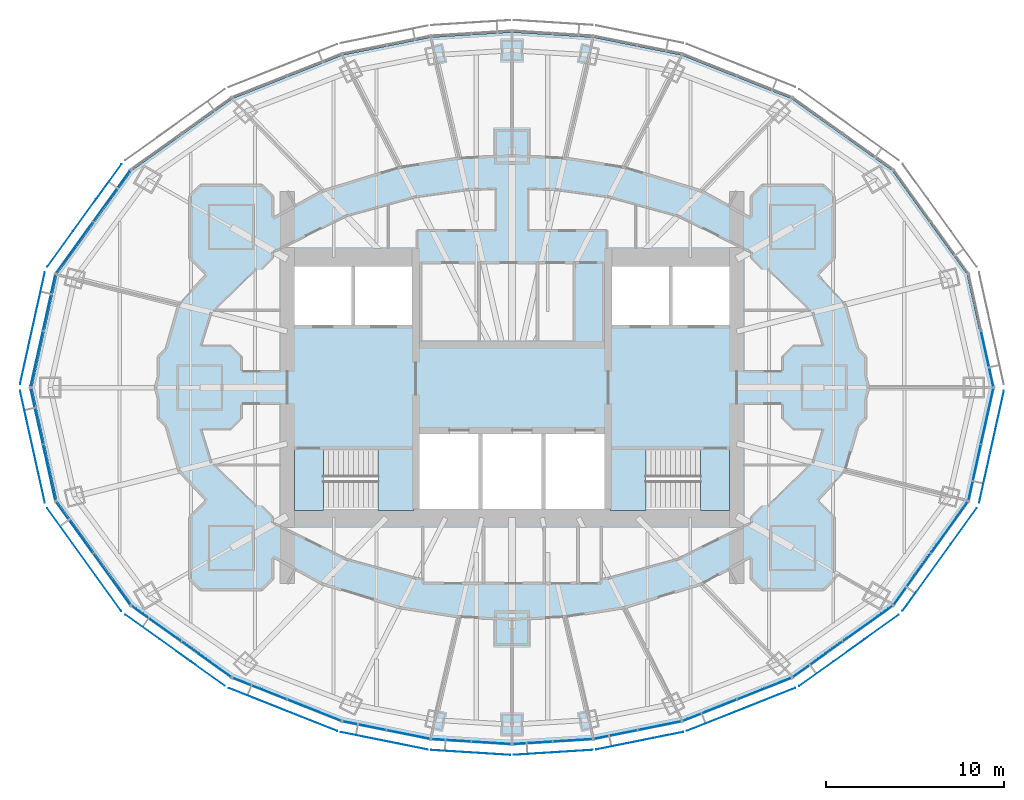
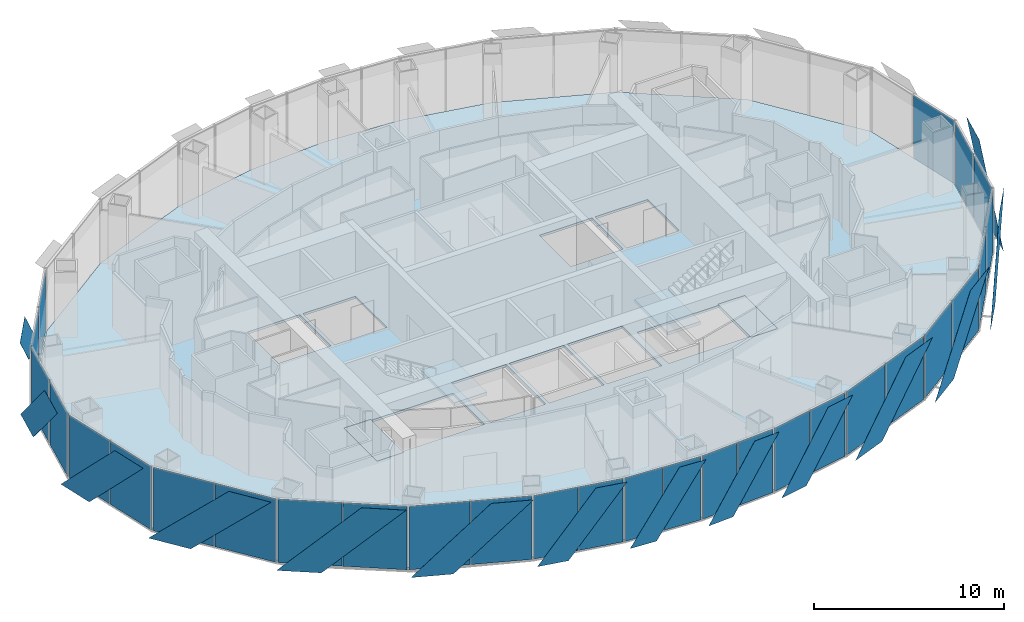
# One storey, part 10 of 19: 43 plates, 5 slabs, 17 elements without a shape of their own.
"""IFC4 building model written with IfcOpenShell, lengths in metres."""

from ifc_helpers import new_model, si_unit, direction, frame, origin, origin_2d, place, context, subcontext, project, spatial, polyline, rectangle, outline, extrude, material, layer, layer_set, type_object, element, aggregate, save


model = new_model("IFC4")

# Units and contexts
model_context = context("Model", 3, precision=1e-05, world=origin(), true_north=direction((0.0, 1.0)))
body_context = subcontext(model_context, "Body", "Model", "MODEL_VIEW")
ifc_project = project(units=[si_unit("LENGTHUNIT", "METRE"), si_unit("AREAUNIT", "SQUARE_METRE"), si_unit("VOLUMEUNIT", "CUBIC_METRE"), si_unit("PLANEANGLEUNIT", "RADIAN"), si_unit("MASSUNIT", "GRAM", prefix="KILO")], contexts=[model_context])

# Site, building, storey
site_placement = place(None, origin())
site = spatial("IfcSite", under=ifc_project, at=site_placement, CompositionType="ELEMENT")
building_placement = place(site_placement, origin())
building = spatial("IfcBuilding", under=site, at=building_placement, Name="Lantaw Convention Tower", CompositionType="ELEMENT")
storey_placement = place(building_placement, frame((0.0, 0.0, 249.39990234375)))
storey = spatial("IfcBuildingStorey", under=building, at=storey_placement, Name="L58", CompositionType="ELEMENT", Elevation=249.39990234375)

# Curtain wall, plate
ifc_material_1 = material(Name="Aluminium framed curtain wall", Category="aluminium")
curtain_wall_type = type_object("IfcCurtainWallType", Name="Office curtain wall high rise, pale aluminium", PredefinedType="USERDEFINED", material=ifc_material_1)
curtain_wall_1_placement = place(storey_placement, origin())
curtain_wall_1 = element("IfcCurtainWall", 1, at=curtain_wall_1_placement, inside=storey, type_object=curtain_wall_type, Name="Office curtain wall high rise, pale aluminium L58", ObjectType="UNITISED CURTAIN WALL", PredefinedType="USERDEFINED")
ifc_material_2 = material(Name="Clear insulating glass", Category="glass")
ifc_layer_1 = layer(ifc_material_2, 0.028076171875)
ifc_layer_set_1 = layer_set([ifc_layer_1], Name="CW-O2 panel 28")
plate_type_1 = type_object("IfcPlateType", Name="CW-O2 panel 28", PredefinedType="CURTAIN_PANEL", material=ifc_layer_set_1)
plate_1_placement = place(storey_placement, frame((26.643798828125, 1.61083984375, -0.0849609375), z_axis=(0.0, 0.0, 1.0), x_axis=(-0.215891333626, 0.976417396437, 0.0)))
plate_1 = element("IfcPlate", 2, at=plate_1_placement, type_object=plate_type_1, Name="CW-O2 panel 1.1", PredefinedType="CURTAIN_PANEL", context=body_context, shape_type="SweptSolid", body=[
    extrude(rectangle(XDim=3.169677734375, YDim=0.028076171875, at=origin_2d()), origin(), (0.0, 0.0, 1.0), 4.070068359375),
])
aggregate(curtain_wall_1, [plate_1])

# Curtain wall, plates
curtain_wall_2_placement = place(storey_placement, origin())
curtain_wall_2 = element("IfcCurtainWall", 3, at=curtain_wall_2_placement, inside=storey, type_object=curtain_wall_type, Name="Office curtain wall high rise, pale aluminium L58", ObjectType="UNITISED CURTAIN WALL", PredefinedType="USERDEFINED")
plate_2_placement = place(storey_placement, frame((-22.4404296875, 10.743896484375, -0.0849609375), z_axis=(0.0, 0.0, 1.0), x_axis=(-0.585157643865, -0.810919559405, 0.0)))
plate_2 = element("IfcPlate", 4, at=plate_2_placement, type_object=plate_type_1, Name="CW-O2 panel 1.1", PredefinedType="CURTAIN_PANEL", context=body_context, shape_type="SweptSolid", body=[
    extrude(rectangle(XDim=3.500732421875, YDim=0.028076171875, at=origin_2d()), origin(), (0.0, 0.0, 1.0), 4.070068359375),
])
plate_3_placement = place(storey_placement, frame((-24.527099609375, 7.852294921875, -0.0849609375), z_axis=(0.0, 0.0, 1.0), x_axis=(-0.585157643865, -0.810919559405, 0.0)))
plate_3 = element("IfcPlate", 5, at=plate_3_placement, type_object=plate_type_1, Name="CW-O2 panel 2.1", PredefinedType="CURTAIN_PANEL", context=body_context, shape_type="SweptSolid", body=[
    extrude(rectangle(XDim=3.500732421875, YDim=0.028076171875, at=origin_2d()), origin(), (0.0, 0.0, 1.0), 4.070068359375),
])
aggregate(curtain_wall_2, [plate_2, plate_3])

curtain_wall_3_placement = place(storey_placement, origin())
curtain_wall_3 = element("IfcCurtainWall", 6, at=curtain_wall_3_placement, inside=storey, type_object=curtain_wall_type, Name="Office curtain wall high rise, pale aluminium L58", ObjectType="UNITISED CURTAIN WALL", PredefinedType="USERDEFINED")
plate_4_placement = place(storey_placement, frame((-25.945556640625, 4.769287109375, -0.0849609375), z_axis=(0.0, 0.0, 1.0), x_axis=(-0.215891333626, -0.976417396437, 0.0)))
plate_4 = element("IfcPlate", 7, at=plate_4_placement, type_object=plate_type_1, Name="CW-O2 panel 1.1", PredefinedType="CURTAIN_PANEL", context=body_context, shape_type="SweptSolid", body=[
    extrude(rectangle(XDim=3.169677734375, YDim=0.028076171875, at=origin_2d()), origin(), (0.0, 0.0, 1.0), 4.070068359375),
])
plate_5_placement = place(storey_placement, frame((-26.643798828125, 1.61083984375, -0.0849609375), z_axis=(0.0, 0.0, 1.0), x_axis=(-0.215891333626, -0.976417396437, 0.0)))
plate_5 = element("IfcPlate", 8, at=plate_5_placement, type_object=plate_type_1, Name="CW-O2 panel 2.1", PredefinedType="CURTAIN_PANEL", context=body_context, shape_type="SweptSolid", body=[
    extrude(rectangle(XDim=3.169677734375, YDim=0.028076171875, at=origin_2d()), origin(), (0.0, 0.0, 1.0), 4.070068359375),
])
aggregate(curtain_wall_3, [plate_4, plate_5])

curtain_wall_4_placement = place(storey_placement, origin())
curtain_wall_4 = element("IfcCurtainWall", 9, at=curtain_wall_4_placement, inside=storey, type_object=curtain_wall_type, Name="Office curtain wall high rise, pale aluminium L58", ObjectType="UNITISED CURTAIN WALL", PredefinedType="USERDEFINED")
plate_6_placement = place(storey_placement, frame((-26.643798828125, -1.61083984375, -0.0849609375), z_axis=(0.0, 0.0, 1.0), x_axis=(0.215891333626, -0.976417396437, 0.0)))
plate_6 = element("IfcPlate", 10, at=plate_6_placement, type_object=plate_type_1, Name="CW-O2 panel 1.1", PredefinedType="CURTAIN_PANEL", context=body_context, shape_type="SweptSolid", body=[
    extrude(rectangle(XDim=3.169677734375, YDim=0.028076171875, at=origin_2d()), origin(), (0.0, 0.0, 1.0), 4.070068359375),
])
plate_7_placement = place(storey_placement, frame((-25.945556640625, -4.769287109375, -0.0849609375), z_axis=(0.0, 0.0, 1.0), x_axis=(0.215891333626, -0.976417396437, 0.0)))
plate_7 = element("IfcPlate", 11, at=plate_7_placement, type_object=plate_type_1, Name="CW-O2 panel 2.1", PredefinedType="CURTAIN_PANEL", context=body_context, shape_type="SweptSolid", body=[
    extrude(rectangle(XDim=3.169677734375, YDim=0.028076171875, at=origin_2d()), origin(), (0.0, 0.0, 1.0), 4.070068359375),
])
aggregate(curtain_wall_4, [plate_6, plate_7])

curtain_wall_5_placement = place(storey_placement, origin())
curtain_wall_5 = element("IfcCurtainWall", 12, at=curtain_wall_5_placement, inside=storey, type_object=curtain_wall_type, Name="Office curtain wall high rise, pale aluminium L58", ObjectType="UNITISED CURTAIN WALL", PredefinedType="USERDEFINED")
plate_8_placement = place(storey_placement, frame((-24.527099609375, -7.852294921875, -0.0849609375), z_axis=(0.0, 0.0, 1.0), x_axis=(0.585157643865, -0.810919559405, 0.0)))
plate_8 = element("IfcPlate", 13, at=plate_8_placement, type_object=plate_type_1, Name="CW-O2 panel 1.1", PredefinedType="CURTAIN_PANEL", context=body_context, shape_type="SweptSolid", body=[
    extrude(rectangle(XDim=3.500732421875, YDim=0.028076171875, at=origin_2d()), origin(), (0.0, 0.0, 1.0), 4.070068359375),
])
plate_9_placement = place(storey_placement, frame((-22.4404296875, -10.743896484375, -0.0849609375), z_axis=(0.0, 0.0, 1.0), x_axis=(0.585157643865, -0.810919559405, 0.0)))
plate_9 = element("IfcPlate", 14, at=plate_9_placement, type_object=plate_type_1, Name="CW-O2 panel 2.1", PredefinedType="CURTAIN_PANEL", context=body_context, shape_type="SweptSolid", body=[
    extrude(rectangle(XDim=3.500732421875, YDim=0.028076171875, at=origin_2d()), origin(), (0.0, 0.0, 1.0), 4.070068359375),
])
aggregate(curtain_wall_5, [plate_8, plate_9])

curtain_wall_6_placement = place(storey_placement, origin())
curtain_wall_6 = element("IfcCurtainWall", 15, at=curtain_wall_6_placement, inside=storey, type_object=curtain_wall_type, Name="Office curtain wall high rise, pale aluminium L58", ObjectType="UNITISED CURTAIN WALL", PredefinedType="USERDEFINED")
plate_10_placement = place(storey_placement, frame((-19.947509765625, -13.23828125, -0.0849609375), z_axis=(0.0, 0.0, 1.0), x_axis=(0.813672540482, -0.581323487281, 0.0)))
plate_10 = element("IfcPlate", 16, at=plate_10_placement, type_object=plate_type_1, Name="CW-O2 panel 1.1", PredefinedType="CURTAIN_PANEL", context=body_context, shape_type="SweptSolid", body=[
    extrude(rectangle(XDim=3.386474609375, YDim=0.028076171875, at=origin_2d()), origin(), (0.0, 0.0, 1.0), 4.070068359375),
])
plate_11_placement = place(storey_placement, frame((-17.13916015625, -15.24462890625, -0.0849609375), z_axis=(0.0, 0.0, 1.0), x_axis=(0.813672540482, -0.581323487281, 0.0)))
plate_11 = element("IfcPlate", 17, at=plate_11_placement, type_object=plate_type_1, Name="CW-O2 panel 2.1", PredefinedType="CURTAIN_PANEL", context=body_context, shape_type="SweptSolid", body=[
    extrude(rectangle(XDim=3.386474609375, YDim=0.028076171875, at=origin_2d()), origin(), (0.0, 0.0, 1.0), 4.070068359375),
])
aggregate(curtain_wall_6, [plate_10, plate_11])

curtain_wall_7_placement = place(storey_placement, origin())
curtain_wall_7 = element("IfcCurtainWall", 18, at=curtain_wall_7_placement, inside=storey, type_object=curtain_wall_type, Name="Office curtain wall high rise, pale aluminium L58", ObjectType="UNITISED CURTAIN WALL", PredefinedType="USERDEFINED")
plate_12_placement = place(storey_placement, frame((-14.14990234375, -16.8837890625, -0.0849609375), z_axis=(0.0, 0.0, 1.0), x_axis=(0.929761533743, -0.368162315252, 0.0)))
plate_12 = element("IfcPlate", 19, at=plate_12_placement, type_object=plate_type_1, Name="CW-O2 panel 1.1", PredefinedType="CURTAIN_PANEL", context=body_context, shape_type="SweptSolid", body=[
    extrude(rectangle(XDim=3.222900390625, YDim=0.028076171875, at=origin_2d()), origin(), (0.0, 0.0, 1.0), 4.070068359375),
])
plate_13_placement = place(storey_placement, frame((-11.0927734375, -18.094482421875, -0.0849609375), z_axis=(0.0, 0.0, 1.0), x_axis=(0.929761533743, -0.368162315252, 0.0)))
plate_13 = element("IfcPlate", 20, at=plate_13_placement, type_object=plate_type_1, Name="CW-O2 panel 2.1", PredefinedType="CURTAIN_PANEL", context=body_context, shape_type="SweptSolid", body=[
    extrude(rectangle(XDim=3.222900390625, YDim=0.028076171875, at=origin_2d()), origin(), (0.0, 0.0, 1.0), 4.070068359375),
])
aggregate(curtain_wall_7, [plate_12, plate_13])

curtain_wall_8_placement = place(storey_placement, origin())
curtain_wall_8 = element("IfcCurtainWall", 21, at=curtain_wall_8_placement, inside=storey, type_object=curtain_wall_type, Name="Office curtain wall high rise, pale aluminium L58", ObjectType="UNITISED CURTAIN WALL", PredefinedType="USERDEFINED")
plate_14_placement = place(storey_placement, frame((-8.2724609375, -18.96533203125, -0.0849609375), z_axis=(0.0, 0.0, 1.0), x_axis=(0.980366679695, -0.197183095987, 0.0)))
plate_14 = element("IfcPlate", 22, at=plate_14_placement, type_object=plate_type_1, Name="CW-O2 panel 1.1", PredefinedType="CURTAIN_PANEL", context=body_context, shape_type="SweptSolid", body=[
    extrude(rectangle(XDim=2.44384765625, YDim=0.028076171875, at=origin_2d()), origin(), (0.0, 0.0, 1.0), 4.070068359375),
])
plate_15_placement = place(storey_placement, frame((-5.81298828125, -19.4599609375, -0.0849609375), z_axis=(0.0, 0.0, 1.0), x_axis=(0.980366679695, -0.197183095987, 0.0)))
plate_15 = element("IfcPlate", 23, at=plate_15_placement, type_object=plate_type_1, Name="CW-O2 panel 2.1", PredefinedType="CURTAIN_PANEL", context=body_context, shape_type="SweptSolid", body=[
    extrude(rectangle(XDim=2.44384765625, YDim=0.028076171875, at=origin_2d()), origin(), (0.0, 0.0, 1.0), 4.070068359375),
])
aggregate(curtain_wall_8, [plate_14, plate_15])

curtain_wall_9_placement = place(storey_placement, origin())
curtain_wall_9 = element("IfcCurtainWall", 24, at=curtain_wall_9_placement, inside=storey, type_object=curtain_wall_type, Name="Office curtain wall high rise, pale aluminium L58", ObjectType="UNITISED CURTAIN WALL", PredefinedType="USERDEFINED")
plate_16_placement = place(storey_placement, frame((-3.397216796875, -19.786376953125, -0.0849609375), z_axis=(0.0, 0.0, 1.0), x_axis=(0.998028774865, -0.062757983884, 0.0)))
plate_16 = element("IfcPlate", 25, at=plate_16_placement, type_object=plate_type_1, Name="CW-O2 panel 1.1", PredefinedType="CURTAIN_PANEL", context=body_context, shape_type="SweptSolid", body=[
    extrude(rectangle(XDim=2.1826171875, YDim=0.028076171875, at=origin_2d()), origin(), (0.0, 0.0, 1.0), 4.070068359375),
])
plate_17_placement = place(storey_placement, frame((-1.154052734375, -19.927490234375, -0.0849609375), z_axis=(0.0, 0.0, 1.0), x_axis=(0.998028774865, -0.062757983884, 0.0)))
plate_17 = element("IfcPlate", 26, at=plate_17_placement, type_object=plate_type_1, Name="CW-O2 panel 2.1", PredefinedType="CURTAIN_PANEL", context=body_context, shape_type="SweptSolid", body=[
    extrude(rectangle(XDim=2.1826171875, YDim=0.028076171875, at=origin_2d()), origin(), (0.0, 0.0, 1.0), 4.070068359375),
])
aggregate(curtain_wall_9, [plate_16, plate_17])

curtain_wall_10_placement = place(storey_placement, origin())
curtain_wall_10 = element("IfcCurtainWall", 27, at=curtain_wall_10_placement, inside=storey, type_object=curtain_wall_type, Name="Office curtain wall high rise, pale aluminium L58", ObjectType="UNITISED CURTAIN WALL", PredefinedType="USERDEFINED")
plate_18_placement = place(storey_placement, frame((1.154052734375, -19.927490234375, -0.0849609375), z_axis=(0.0, 0.0, 1.0), x_axis=(0.998028774865, 0.062757983884, 0.0)))
plate_18 = element("IfcPlate", 28, at=plate_18_placement, type_object=plate_type_1, Name="CW-O2 panel 1.1", PredefinedType="CURTAIN_PANEL", context=body_context, shape_type="SweptSolid", body=[
    extrude(rectangle(XDim=2.1826171875, YDim=0.028076171875, at=origin_2d()), origin(), (0.0, 0.0, 1.0), 4.070068359375),
])
plate_19_placement = place(storey_placement, frame((3.397216796875, -19.786376953125, -0.0849609375), z_axis=(0.0, 0.0, 1.0), x_axis=(0.998028774865, 0.062757983884, 0.0)))
plate_19 = element("IfcPlate", 29, at=plate_19_placement, type_object=plate_type_1, Name="CW-O2 panel 2.1", PredefinedType="CURTAIN_PANEL", context=body_context, shape_type="SweptSolid", body=[
    extrude(rectangle(XDim=2.1826171875, YDim=0.028076171875, at=origin_2d()), origin(), (0.0, 0.0, 1.0), 4.070068359375),
])
aggregate(curtain_wall_10, [plate_18, plate_19])

curtain_wall_11_placement = place(storey_placement, origin())
curtain_wall_11 = element("IfcCurtainWall", 30, at=curtain_wall_11_placement, inside=storey, type_object=curtain_wall_type, Name="Office curtain wall high rise, pale aluminium L58", ObjectType="UNITISED CURTAIN WALL", PredefinedType="USERDEFINED")
plate_20_placement = place(storey_placement, frame((5.81298828125, -19.4599609375, -0.0849609375), z_axis=(0.0, 0.0, 1.0), x_axis=(0.980366679695, 0.197183095987, 0.0)))
plate_20 = element("IfcPlate", 31, at=plate_20_placement, type_object=plate_type_1, Name="CW-O2 panel 1.1", PredefinedType="CURTAIN_PANEL", context=body_context, shape_type="SweptSolid", body=[
    extrude(rectangle(XDim=2.44384765625, YDim=0.028076171875, at=origin_2d()), origin(), (0.0, 0.0, 1.0), 4.070068359375),
])
plate_21_placement = place(storey_placement, frame((8.2724609375, -18.96533203125, -0.0849609375), z_axis=(0.0, 0.0, 1.0), x_axis=(0.980366679695, 0.197183095987, 0.0)))
plate_21 = element("IfcPlate", 32, at=plate_21_placement, type_object=plate_type_1, Name="CW-O2 panel 2.1", PredefinedType="CURTAIN_PANEL", context=body_context, shape_type="SweptSolid", body=[
    extrude(rectangle(XDim=2.44384765625, YDim=0.028076171875, at=origin_2d()), origin(), (0.0, 0.0, 1.0), 4.070068359375),
])
aggregate(curtain_wall_11, [plate_20, plate_21])

curtain_wall_12_placement = place(storey_placement, origin())
curtain_wall_12 = element("IfcCurtainWall", 33, at=curtain_wall_12_placement, inside=storey, type_object=curtain_wall_type, Name="Office curtain wall high rise, pale aluminium L58", ObjectType="UNITISED CURTAIN WALL", PredefinedType="USERDEFINED")
plate_22_placement = place(storey_placement, frame((11.0927734375, -18.094482421875, -0.0849609375), z_axis=(0.0, 0.0, 1.0), x_axis=(0.929761533743, 0.368162315252, 0.0)))
plate_22 = element("IfcPlate", 34, at=plate_22_placement, type_object=plate_type_1, Name="CW-O2 panel 1.1", PredefinedType="CURTAIN_PANEL", context=body_context, shape_type="SweptSolid", body=[
    extrude(rectangle(XDim=3.222900390625, YDim=0.028076171875, at=origin_2d()), origin(), (0.0, 0.0, 1.0), 4.070068359375),
])
plate_23_placement = place(storey_placement, frame((14.14990234375, -16.8837890625, -0.0849609375), z_axis=(0.0, 0.0, 1.0), x_axis=(0.929761533743, 0.368162315252, 0.0)))
plate_23 = element("IfcPlate", 35, at=plate_23_placement, type_object=plate_type_1, Name="CW-O2 panel 2.1", PredefinedType="CURTAIN_PANEL", context=body_context, shape_type="SweptSolid", body=[
    extrude(rectangle(XDim=3.222900390625, YDim=0.028076171875, at=origin_2d()), origin(), (0.0, 0.0, 1.0), 4.070068359375),
])
aggregate(curtain_wall_12, [plate_22, plate_23])

curtain_wall_13_placement = place(storey_placement, origin())
curtain_wall_13 = element("IfcCurtainWall", 36, at=curtain_wall_13_placement, inside=storey, type_object=curtain_wall_type, Name="Office curtain wall high rise, pale aluminium L58", ObjectType="UNITISED CURTAIN WALL", PredefinedType="USERDEFINED")
plate_24_placement = place(storey_placement, frame((17.13916015625, -15.24462890625, -0.0849609375), z_axis=(0.0, 0.0, 1.0), x_axis=(0.813672540482, 0.581323487281, 0.0)))
plate_24 = element("IfcPlate", 37, at=plate_24_placement, type_object=plate_type_1, Name="CW-O2 panel 1.1", PredefinedType="CURTAIN_PANEL", context=body_context, shape_type="SweptSolid", body=[
    extrude(rectangle(XDim=3.386474609375, YDim=0.028076171875, at=origin_2d()), origin(), (0.0, 0.0, 1.0), 4.070068359375),
])
plate_25_placement = place(storey_placement, frame((19.947509765625, -13.23828125, -0.0849609375), z_axis=(0.0, 0.0, 1.0), x_axis=(0.813672540482, 0.581323487281, 0.0)))
plate_25 = element("IfcPlate", 38, at=plate_25_placement, type_object=plate_type_1, Name="CW-O2 panel 2.1", PredefinedType="CURTAIN_PANEL", context=body_context, shape_type="SweptSolid", body=[
    extrude(rectangle(XDim=3.386474609375, YDim=0.028076171875, at=origin_2d()), origin(), (0.0, 0.0, 1.0), 4.070068359375),
])
aggregate(curtain_wall_13, [plate_24, plate_25])

curtain_wall_14_placement = place(storey_placement, origin())
curtain_wall_14 = element("IfcCurtainWall", 39, at=curtain_wall_14_placement, inside=storey, type_object=curtain_wall_type, Name="Office curtain wall high rise, pale aluminium L58", ObjectType="UNITISED CURTAIN WALL", PredefinedType="USERDEFINED")
plate_26_placement = place(storey_placement, frame((22.4404296875, -10.743896484375, -0.0849609375), z_axis=(0.0, 0.0, 1.0), x_axis=(0.585157643865, 0.810919559405, 0.0)))
plate_26 = element("IfcPlate", 40, at=plate_26_placement, type_object=plate_type_1, Name="CW-O2 panel 1.1", PredefinedType="CURTAIN_PANEL", context=body_context, shape_type="SweptSolid", body=[
    extrude(rectangle(XDim=3.500732421875, YDim=0.028076171875, at=origin_2d()), origin(), (0.0, 0.0, 1.0), 4.070068359375),
])
plate_27_placement = place(storey_placement, frame((24.527099609375, -7.852294921875, -0.0849609375), z_axis=(0.0, 0.0, 1.0), x_axis=(0.585157643865, 0.810919559405, 0.0)))
plate_27 = element("IfcPlate", 41, at=plate_27_placement, type_object=plate_type_1, Name="CW-O2 panel 2.1", PredefinedType="CURTAIN_PANEL", context=body_context, shape_type="SweptSolid", body=[
    extrude(rectangle(XDim=3.500732421875, YDim=0.028076171875, at=origin_2d()), origin(), (0.0, 0.0, 1.0), 4.070068359375),
])
aggregate(curtain_wall_14, [plate_26, plate_27])

curtain_wall_15_placement = place(storey_placement, origin())
curtain_wall_15 = element("IfcCurtainWall", 42, at=curtain_wall_15_placement, inside=storey, type_object=curtain_wall_type, Name="Office curtain wall high rise, pale aluminium L58", ObjectType="UNITISED CURTAIN WALL", PredefinedType="USERDEFINED")
plate_28_placement = place(storey_placement, frame((25.945556640625, -4.769287109375, -0.0849609375), z_axis=(0.0, 0.0, 1.0), x_axis=(0.215891333626, 0.976417396437, 0.0)))
plate_28 = element("IfcPlate", 43, at=plate_28_placement, type_object=plate_type_1, Name="CW-O2 panel 1.1", PredefinedType="CURTAIN_PANEL", context=body_context, shape_type="SweptSolid", body=[
    extrude(rectangle(XDim=3.169677734375, YDim=0.028076171875, at=origin_2d()), origin(), (0.0, 0.0, 1.0), 4.070068359375),
])
plate_29_placement = place(storey_placement, frame((26.643798828125, -1.61083984375, -0.0849609375), z_axis=(0.0, 0.0, 1.0), x_axis=(0.215891333626, 0.976417396437, 0.0)))
plate_29 = element("IfcPlate", 44, at=plate_29_placement, type_object=plate_type_1, Name="CW-O2 panel 2.1", PredefinedType="CURTAIN_PANEL", context=body_context, shape_type="SweptSolid", body=[
    extrude(rectangle(XDim=3.169677734375, YDim=0.028076171875, at=origin_2d()), origin(), (0.0, 0.0, 1.0), 4.070068359375),
])
aggregate(curtain_wall_15, [plate_28, plate_29])

# Slab
ifc_material_3 = material(Name="Concrete C35/45", Category="concrete")
ifc_layer_2 = layer(ifc_material_3, 0.14990234375)
ifc_layer_set_2 = layer_set([ifc_layer_2], Name="Floor slab 150")
slab_type_1 = type_object("IfcSlabType", Name="Floor slab 150", PredefinedType="FLOOR", material=ifc_layer_set_2)
slab_1_placement = place(storey_placement, frame((0.0, 0.0, -0.14990234375)))
element("IfcSlab", 45, at=slab_1_placement, inside=storey, type_object=slab_type_1, Name="L58 floor slab", PredefinedType="FLOOR", context=body_context, shape_type="SweptSolid", body=[
    extrude(outline(polyline([(25.51953125, -6.348876953125), (26.923095703125, 0.0), (25.51953125, 6.348876953125), (21.324462890625, 12.162109375), (15.67236328125, 16.2001953125), (9.5126953125, 18.639404296875), (4.54150390625, 19.63916015625), (0.0, 19.9248046875), (-4.54150390625, 19.63916015625), (-9.5126953125, 18.639404296875), (-15.67236328125, 16.2001953125), (-21.324462890625, 12.162109375), (-25.51953125, 6.348876953125), (-26.923095703125, 0.0), (-25.51953125, -6.348876953125), (-21.324462890625, -12.162109375), (-15.67236328125, -16.2001953125), (-9.5126953125, -18.639404296875), (-4.54150390625, -19.63916015625), (0.0, -19.9248046875), (4.54150390625, -19.63916015625), (9.5126953125, -18.639404296875), (15.67236328125, -16.2001953125), (21.324462890625, -12.162109375), (25.51953125, -6.348876953125)]), holes=[polyline([(-5.60009765625, -3.5), (-12.199951171875, -3.5), (-12.199951171875, -6.800048828125), (-5.60009765625, -6.800048828125), (-5.60009765625, -3.5)]), polyline([(12.199951171875, -3.5), (5.60009765625, -3.5), (5.60009765625, -6.800048828125), (12.199951171875, -6.800048828125), (12.199951171875, -3.5)]), polyline([(-1.86669921875, -2.60009765625), (-5.199951171875, -2.60009765625), (-5.199951171875, -6.800048828125), (-1.86669921875, -6.800048828125), (-1.86669921875, -2.60009765625)]), polyline([(1.666748046875, -2.60009765625), (-1.666748046875, -2.60009765625), (-1.666748046875, -6.800048828125), (1.666748046875, -6.800048828125), (1.666748046875, -2.60009765625)]), polyline([(5.199951171875, -2.60009765625), (1.86669921875, -2.60009765625), (1.86669921875, -6.800048828125), (5.199951171875, -6.800048828125), (5.199951171875, -2.60009765625)]), polyline([(-9.0, 6.800048828125), (-12.199951171875, 6.800048828125), (-12.199951171875, 3.5), (-9.0, 3.5), (-9.0, 6.800048828125)]), polyline([(-5.60009765625, 6.800048828125), (-8.800048828125, 6.800048828125), (-8.800048828125, 3.5), (-5.60009765625, 3.5), (-5.60009765625, 6.800048828125)]), polyline([(8.800048828125, 3.5), (8.800048828125, 6.800048828125), (5.60009765625, 6.800048828125), (5.60009765625, 3.5), (8.800048828125, 3.5)]), polyline([(12.199951171875, 3.5), (12.199951171875, 6.800048828125), (9.0, 6.800048828125), (9.0, 3.5), (12.199951171875, 3.5)])]), origin(), (0.0, 0.0, 1.0), 0.14990234375),
])

# Plates
ifc_material_4 = material(Name="Perforated aluminium sheet, pale silver finish", Category="aluminium")
ifc_layer_3 = layer(ifc_material_4, 0.006103515625)
ifc_layer_set_3 = layer_set([ifc_layer_3], Name="Perforated aluminium solar SCREEN panel")
plate_type_2 = type_object("IfcPlateType", Name="Perforated aluminium solar SCREEN panel", PredefinedType="SHEET", material=ifc_layer_set_3)
plate_30_placement = place(storey_placement, frame((-21.898681640625, 12.530029296875, -0.1748046875), z_axis=(-0.810892289695, 0.585195432394, 2.0459565e-05), x_axis=(-0.585195432516, -0.810892289865, 0.0)))
element("IfcPlate", 46, at=plate_30_placement, inside=storey, type_object=plate_type_2, Name="Solar SCREEN panel", PredefinedType="SHEET", context=body_context, shape_type="SweptSolid", body=[
    extrude(outline(polyline([(0.0, 0.0), (2.4468488406832853, 0.0), (7.096610466675719, 4.339843750908316), (4.649761625992434, 4.339843750908316), (0.0, 0.0)])), origin(), (0.0, 0.0, -1.0), 0.006103515625),
])
plate_31_placement = place(storey_placement, frame((-26.19189453125, 6.462158203125, -0.1748046875), z_axis=(0.976429511424, -0.215836529031, 4.4221925e-05), x_axis=(-0.215836529242, -0.976429512379, 0.0)))
element("IfcPlate", 47, at=plate_31_placement, inside=storey, type_object=plate_type_2, Name="Solar SCREEN panel", PredefinedType="SHEET", context=body_context, shape_type="SweptSolid", body=[
    extrude(outline(polyline([(0.0, 0.0), (2.2215525295212517, -3.3881317890172014e-21), (6.4341686174090675, -4.339843754243453), (4.212616087887817, -4.339843754243453), (0.0, 0.0)])), origin(), (0.0, 0.0, -1.0), 0.006103515625),
])
plate_32_placement = place(storey_placement, frame((-27.580810546875, -0.1796875, -0.1748046875), z_axis=(-0.976429511424, -0.215836529031, 4.4221925e-05), x_axis=(0.215836529242, -0.976429512379, 0.0)))
element("IfcPlate", 48, at=plate_32_placement, inside=storey, type_object=plate_type_2, Name="Solar SCREEN panel", PredefinedType="SHEET", context=body_context, shape_type="SweptSolid", body=[
    extrude(outline(polyline([(0.0, 0.0), (2.2215525295212517, 3.3881317890172014e-21), (6.4341686174090675, 4.339843754243453), (4.212616087887817, 4.339843754243453), (0.0, 0.0)])), origin(), (0.0, 0.0, -1.0), 0.006103515625),
])
plate_33_placement = place(storey_placement, frame((-26.051513671875, -6.775390625, -0.1748046875), z_axis=(0.810892289695, 0.585195432394, 2.0459565e-05), x_axis=(0.585195432516, -0.810892289865, 0.0)))
element("IfcPlate", 49, at=plate_33_placement, inside=storey, type_object=plate_type_2, Name="Solar SCREEN panel", PredefinedType="SHEET", context=body_context, shape_type="SweptSolid", body=[
    extrude(outline(polyline([(0.0, 0.0), (2.4468488406832853, 0.0), (7.096610466675719, -4.339843750908316), (4.649761625992434, -4.339843750908316), (0.0, 0.0)])), origin(), (0.0, 0.0, -1.0), 0.006103515625),
])
plate_34_placement = place(storey_placement, frame((-21.689697265625, -12.73828125, -0.1748046875), z_axis=(-0.581330799771, -0.813667316006, 1.0072981e-05), x_axis=(0.813667316047, -0.5813307998, 3.02e-10)))
element("IfcPlate", 50, at=plate_34_placement, inside=storey, type_object=plate_type_2, Name="Solar SCREEN panel", PredefinedType="SHEET", context=body_context, shape_type="SweptSolid", body=[
    extrude(outline(polyline([(0.0, 0.0), (2.36914164286685, -1.6940658945086007e-21), (6.867806096558412, 4.339843748148034), (4.498863102938643, 4.3398437495775966), (0.0, 0.0)])), origin(), (0.0, 0.0, -1.0), 0.006103515625),
])
plate_35_placement = place(storey_placement, frame((-15.88525390625, -16.8486328125, -0.1748046875), z_axis=(0.368116612072, 0.929779629081, 3.5535267e-05), x_axis=(0.929779629668, -0.368116612304, -1.786e-09)))
element("IfcPlate", 51, at=plate_35_placement, inside=storey, type_object=plate_type_2, Name="Solar SCREEN panel", PredefinedType="SHEET", context=body_context, shape_type="SweptSolid", body=[
    extrude(outline(polyline([(0.0, 0.0), (2.2578720663572183, -6.776263578034403e-21), (6.540904465438181, -4.339843764423989), (4.282942526861161, -4.33984375635743), (0.0, 0.0)])), origin(), (0.0, 0.0, -1.0), 0.006103515625),
])
plate_36_placement = place(storey_placement, frame((-9.6044921875, -19.315673828125, -0.1748046875), z_axis=(0.197162069853, 0.980370908428, 1.0904697e-05), x_axis=(0.980370908486, -0.197162069865, -7.55e-10)))
element("IfcPlate", 52, at=plate_36_placement, inside=storey, type_object=plate_type_2, Name="Solar SCREEN panel", PredefinedType="SHEET", context=body_context, shape_type="SweptSolid", body=[
    extrude(outline(polyline([(0.0, 0.0), (1.7279870169553606, 0.0), (4.982578440602753, -4.339843754020975), (3.2545432883764285, -4.339843751410917), (0.0, 0.0)])), origin(), (0.0, 0.0, -1.0), 0.006103515625),
])
plate_37_placement = place(storey_placement, frame((-4.539306640625, -20.32177734375, -0.1748046875), z_axis=(0.062672387577, 0.998034151922, 5.8589976e-05), x_axis=(0.998034153635, -0.062672387685, 0.0)))
element("IfcPlate", 53, at=plate_37_placement, inside=storey, type_object=plate_type_2, Name="Solar SCREEN panel", PredefinedType="SHEET", context=body_context, shape_type="SweptSolid", body=[
    extrude(outline(polyline([(0.0, 0.0), (1.5504111513762302, 8.470329472543003e-22), (4.460200019412434, -4.339843757448876), (2.9097888680362036, -4.339843757448876), (0.0, 0.0)])), origin(), (0.0, 0.0, -1.0), 0.006103515625),
])
plate_38_placement = place(storey_placement, frame((0.087890625, -20.6015625, -0.1748046875), z_axis=(0.062672387577, -0.998034151922, 5.8589976e-05), x_axis=(0.998034153635, 0.062672387685, 0.0)))
element("IfcPlate", 54, at=plate_38_placement, inside=storey, type_object=plate_type_2, Name="Solar SCREEN panel", PredefinedType="SHEET", context=body_context, shape_type="SweptSolid", body=[
    extrude(outline(polyline([(0.0, 0.0), (1.5504111513762302, -8.470329472543003e-22), (4.460200019412434, 4.339843757448876), (2.9097888680362036, 4.339843757448876), (0.0, 0.0)])), origin(), (0.0, 0.0, -1.0), 0.006103515625),
])
plate_39_placement = place(storey_placement, frame((4.7197265625, -20.298095703125, -0.1748046875), z_axis=(0.197162069853, -0.980370908428, 1.0904697e-05), x_axis=(0.980370908486, 0.197162069865, 7.55e-10)))
element("IfcPlate", 55, at=plate_39_placement, inside=storey, type_object=plate_type_2, Name="Solar SCREEN panel", PredefinedType="SHEET", context=body_context, shape_type="SweptSolid", body=[
    extrude(outline(polyline([(0.0, 0.0), (1.7280351522263238, 0.0), (4.982578447157737, 4.339843746495192), (3.2545914302023755, 4.339843749105177), (0.0, 0.0)])), origin(), (0.0, 0.0, -1.0), 0.006103515625),
])
plate_40_placement = place(storey_placement, frame((9.8037109375, -19.256591796875, -0.1748046875), z_axis=(0.368116612072, -0.929779629081, 3.5535267e-05), x_axis=(0.929779629668, 0.368116612304, 1.786e-09)))
element("IfcPlate", 56, at=plate_40_placement, inside=storey, type_object=plate_type_2, Name="Solar SCREEN panel", PredefinedType="SHEET", context=body_context, shape_type="SweptSolid", body=[
    extrude(outline(polyline([(0.0, 0.0), (2.257961938577019, 6.776263578034403e-21), (6.540904480942253, 4.339843741056637), (4.283032414585034, 4.339843749122875), (0.0, 0.0)])), origin(), (0.0, 0.0, -1.0), 0.006103515625),
])
plate_41_placement = place(storey_placement, frame((16.1015625, -16.730712890625, -0.1748046875), z_axis=(-0.581330799771, 0.813667316006, 1.0072981e-05), x_axis=(0.813667316047, 0.5813307998, -3.02e-10)))
element("IfcPlate", 57, at=plate_41_placement, inside=storey, type_object=plate_type_2, Name="Solar SCREEN panel", PredefinedType="SHEET", context=body_context, shape_type="SweptSolid", body=[
    extrude(outline(polyline([(0.0, 0.0), (2.3689429936197683, -1.6940658945086007e-21), (6.867806093939489, -4.339843752292481), (4.498664451072639, -4.339843750862799), (0.0, 0.0)])), origin(), (0.0, 0.0, -1.0), 0.006103515625),
])
plate_42_placement = place(storey_placement, frame((21.898681640625, -12.530029296875, -0.1748046875), z_axis=(0.810892289695, -0.585195432394, 2.0459565e-05), x_axis=(0.585195432516, 0.810892289865, 0.0)))
element("IfcPlate", 58, at=plate_42_placement, inside=storey, type_object=plate_type_2, Name="Solar SCREEN panel", PredefinedType="SHEET", context=body_context, shape_type="SweptSolid", body=[
    extrude(outline(polyline([(0.0, 0.0), (2.4468488406832853, 0.0), (7.096610466675719, 4.339843750908316), (4.649761625992434, 4.339843750908316), (0.0, 0.0)])), origin(), (0.0, 0.0, -1.0), 0.006103515625),
])
plate_43_placement = place(storey_placement, frame((26.19189453125, -6.462158203125, -0.1748046875), z_axis=(-0.976429511424, 0.215836529031, 4.4221925e-05), x_axis=(0.215836529242, 0.976429512379, 0.0)))
element("IfcPlate", 59, at=plate_43_placement, inside=storey, type_object=plate_type_2, Name="Solar SCREEN panel", PredefinedType="SHEET", context=body_context, shape_type="SweptSolid", body=[
    extrude(outline(polyline([(0.0, 0.0), (2.2215525295212517, -3.3881317890172014e-21), (6.4341686174090675, -4.339843754243453), (4.212616087887817, -4.339843754243453), (0.0, 0.0)])), origin(), (0.0, 0.0, -1.0), 0.006103515625),
])

# Stair, slabs
stair_type = type_object("IfcStairType", Name="Exit stair 1500 riser 175 in 2 flights", PredefinedType="HALF_TURN_STAIR", material=ifc_material_3)
stair_1_placement = place(storey_placement, origin())
stair_1 = element("IfcStair", 60, at=stair_1_placement, inside=storey, type_object=stair_type, Name="Exit stair S1 L58", PredefinedType="HALF_TURN_STAIR")
ifc_layer_4 = layer(ifc_material_3, 0.199951171875)
ifc_layer_set_4 = layer_set([ifc_layer_4], Name="Stair landing 200")
slab_type_2 = type_object("IfcSlabType", Name="Stair landing 200", PredefinedType="LANDING", material=ifc_layer_set_4)
slab_2_placement = place(storey_placement, frame((0.0, 0.0, -0.199951171875)))
slab_2 = element("IfcSlab", 61, at=slab_2_placement, type_object=slab_type_2, Name="S1 landing 1", PredefinedType="LANDING", context=body_context, shape_type="SweptSolid", body=[
    extrude(outline(polyline([(-12.199951171875, -6.89990234375), (-10.580078125, -6.89990234375), (-10.580078125, -3.39990234375), (-12.199951171875, -3.39990234375), (-12.199951171875, -6.89990234375)])), origin(), (0.0, 0.0, 1.0), 0.199951171875),
])
slab_3_placement = place(storey_placement, frame((0.0, 0.0, 1.900146484375)))
slab_3 = element("IfcSlab", 62, at=slab_3_placement, type_object=slab_type_2, Name="S1 landing 2", PredefinedType="LANDING", context=body_context, shape_type="SweptSolid", body=[
    extrude(outline(polyline([(-7.5, -6.89990234375), (-5.5, -6.89990234375), (-5.5, -3.39990234375), (-7.5, -3.39990234375), (-7.5, -6.89990234375)])), origin(), (0.0, 0.0, 1.0), 0.199951171875),
])
aggregate(stair_1, [slab_2, slab_3])

stair_2_placement = place(storey_placement, origin())
stair_2 = element("IfcStair", 63, at=stair_2_placement, inside=storey, type_object=stair_type, Name="Exit stair S2 L58", PredefinedType="HALF_TURN_STAIR")
slab_4_placement = place(storey_placement, frame((0.0, 0.0, -0.199951171875)))
slab_4 = element("IfcSlab", 64, at=slab_4_placement, type_object=slab_type_2, Name="S2 landing 1", PredefinedType="LANDING", context=body_context, shape_type="SweptSolid", body=[
    extrude(outline(polyline([(10.580078125, -6.89990234375), (12.199951171875, -6.89990234375), (12.199951171875, -3.39990234375), (10.580078125, -3.39990234375), (10.580078125, -6.89990234375)])), origin(), (0.0, 0.0, 1.0), 0.199951171875),
])
slab_5_placement = place(storey_placement, frame((0.0, 0.0, 1.900146484375)))
slab_5 = element("IfcSlab", 65, at=slab_5_placement, type_object=slab_type_2, Name="S2 landing 2", PredefinedType="LANDING", context=body_context, shape_type="SweptSolid", body=[
    extrude(outline(polyline([(5.5, -6.89990234375), (7.5, -6.89990234375), (7.5, -3.39990234375), (5.5, -3.39990234375), (5.5, -6.89990234375)])), origin(), (0.0, 0.0, 1.0), 0.199951171875),
])
aggregate(stair_2, [slab_4, slab_5])

save(model, "model.ifc")
